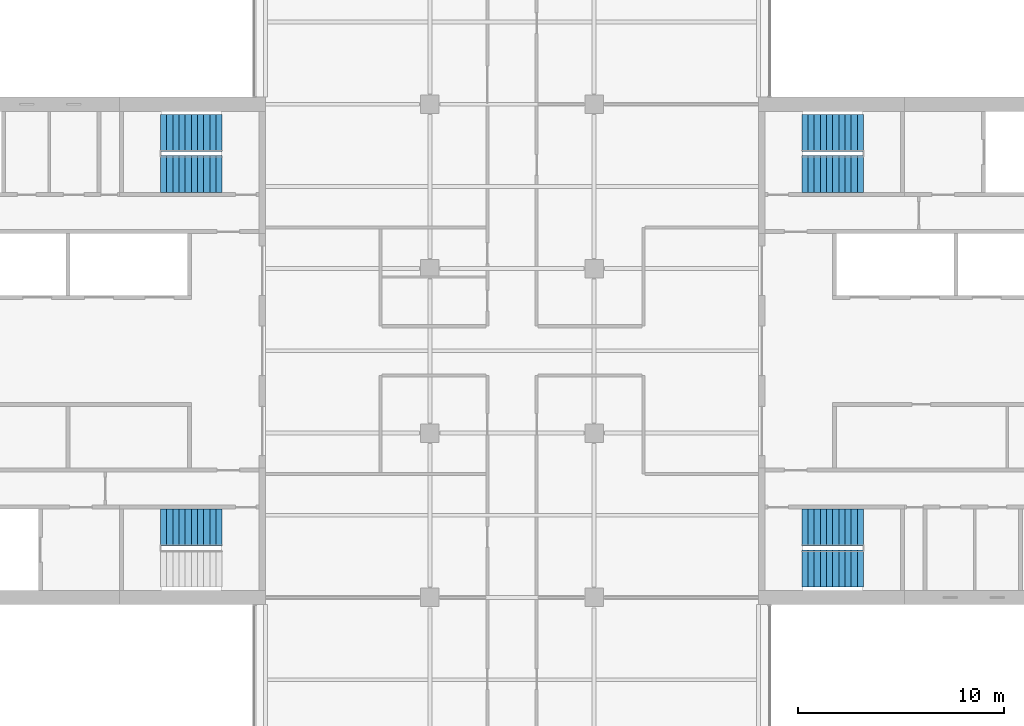
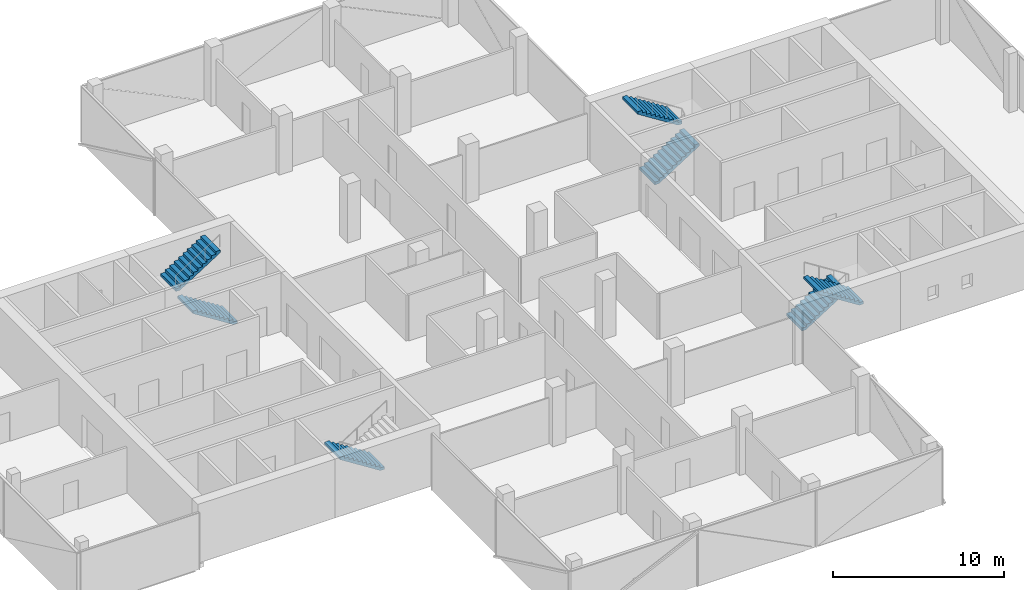
# One storey, part 17 of 22: 7 stair flights, 4 elements without a shape of their own.
"""IFC4 building model written with IfcOpenShell, lengths in metres."""

from ifc_helpers import new_model, si_unit, direction, frame, origin, place, context, subcontext, project, spatial, polyline, outline, extrude, material, type_object, element, aggregate, save


model = new_model("IFC4")

# Units and contexts
model_context = context("Model", 3, precision=1e-05, world=origin(), true_north=direction((0.0, 1.0)))
body_context = subcontext(model_context, "Body", "Model", "MODEL_VIEW")
ifc_project = project(units=[si_unit("LENGTHUNIT", "METRE"), si_unit("AREAUNIT", "SQUARE_METRE"), si_unit("VOLUMEUNIT", "CUBIC_METRE"), si_unit("PLANEANGLEUNIT", "RADIAN"), si_unit("MASSUNIT", "GRAM", prefix="KILO")], contexts=[model_context])

# Site, building, storey
site_placement = place(None, origin())
site = spatial("IfcSite", under=ifc_project, at=site_placement, CompositionType="ELEMENT")
building_placement = place(site_placement, origin())
building = spatial("IfcBuilding", under=site, at=building_placement, Name="Crosswind Convention Tower", CompositionType="ELEMENT")
storey_placement = place(building_placement, frame((0.0, 0.0, 167.300048828125)))
storey = spatial("IfcBuildingStorey", under=building, at=storey_placement, Name="L35", CompositionType="ELEMENT", Elevation=167.300048828125)

# Stair, stair flights
ifc_material = material(Name="Concrete C40/50", Category="concrete")
stair_type = type_object("IfcStairType", Name="Exit stair 1800 wide, 2 flights of 11 risers", PredefinedType="HALF_TURN_STAIR", material=ifc_material)
stair_1_placement = place(storey_placement, origin())
stair_1 = element("IfcStair", 1, at=stair_1_placement, inside=storey, type_object=stair_type, Name="Exit stair ST1 L35", ObjectType="ST5", PredefinedType="HALF_TURN_STAIR")
stair_flight_type = type_object("IfcStairFlightType", Name="Stair flight 1800 wide, 11 risers (SF4)", PredefinedType="STRAIGHT", material=ifc_material)
stair_flight_1_placement = place(storey_placement, frame((139.10009765625, 108.60009765625, 0.0), z_axis=(0.0, 0.0, 1.0), x_axis=(1.0, 0.0, 0.0)))
stair_flight_1 = element("IfcStairFlight", 2, at=stair_flight_1_placement, type_object=stair_flight_type, Name="ST1 flight 1", NumberOfRisers=11, NumberOfTreads=10, PredefinedType="STRAIGHT", RiserHeight=0.190909091, TreadLength=0.3, context=body_context, shape_type="SweptSolid", body=[
    extrude(outline(polyline([(0.0, 0.0), (0.0, 0.19091796875), (0.300048828125, 0.19091796875), (0.300048828125, 0.3818359375), (0.60009765625, 0.3818359375), (0.60009765625, 0.57275390625), (0.89990234375, 0.57275390625), (0.89990234375, 0.763671875), (1.199951171875, 0.763671875), (1.199951171875, 0.95458984375), (1.5, 0.95458984375), (1.5, 1.1455078125), (1.800048828125, 1.1455078125), (1.800048828125, 1.33642578125), (2.10009765625, 1.33642578125), (2.10009765625, 1.52734375), (2.39990234375, 1.52734375), (2.39990234375, 1.71826171875), (2.699951171875, 1.71826171875), (2.699951171875, 1.9091796875), (3.0, 1.9091796875), (3.0, 2.10009765625), (3.0, 1.7314453125), (0.279296875, 0.0), (0.0, 0.0)])), frame((0.0, 0.89990234375, 0.0), z_axis=(0.0, -1.0, 0.0), x_axis=(1.0, 0.0, 0.0)), (0.0, 0.0, 1.0), 1.800048828125),
])
stair_flight_2_placement = place(storey_placement, frame((142.10009765625, 110.60009765625, 2.099853515625), z_axis=(0.0, 0.0, 1.0), x_axis=(-1.0, 0.0, 0.0)))
stair_flight_2 = element("IfcStairFlight", 3, at=stair_flight_2_placement, type_object=stair_flight_type, Name="ST1 flight 2", NumberOfRisers=11, NumberOfTreads=10, PredefinedType="STRAIGHT", RiserHeight=0.190909091, TreadLength=0.3, context=body_context, shape_type="SweptSolid", body=[
    extrude(outline(polyline([(0.0, 0.0), (0.0, 0.19091796875), (0.300048828125, 0.19091796875), (0.300048828125, 0.3818359375), (0.60009765625, 0.3818359375), (0.60009765625, 0.57275390625), (0.89990234375, 0.57275390625), (0.89990234375, 0.763671875), (1.199951171875, 0.763671875), (1.199951171875, 0.95458984375), (1.5, 0.95458984375), (1.5, 1.1455078125), (1.800048828125, 1.1455078125), (1.800048828125, 1.33642578125), (2.10009765625, 1.33642578125), (2.10009765625, 1.52734375), (2.39990234375, 1.52734375), (2.39990234375, 1.71826171875), (2.699951171875, 1.71826171875), (2.699951171875, 1.9091796875), (3.0, 1.9091796875), (3.0, 2.10009765625), (3.0, 1.7314453125), (0.279296875, 0.0), (0.0, 0.0)])), frame((0.0, 0.89990234375, 0.0), z_axis=(0.0, -1.0, 0.0), x_axis=(1.0, 0.0, 0.0)), (0.0, 0.0, 1.0), 1.800048828125),
])
aggregate(stair_1, [stair_flight_1, stair_flight_2])

stair_2_placement = place(storey_placement, origin())
stair_2 = element("IfcStair", 4, at=stair_2_placement, inside=storey, type_object=stair_type, Name="Exit stair ST2 L35", ObjectType="ST5", PredefinedType="HALF_TURN_STAIR")
stair_flight_3_placement = place(storey_placement, frame((139.10009765625, 91.39990234375, 0.0), z_axis=(0.0, 0.0, 1.0), x_axis=(1.0, 0.0, 0.0)))
stair_flight_3 = element("IfcStairFlight", 5, at=stair_flight_3_placement, type_object=stair_flight_type, Name="ST2 flight 1", NumberOfRisers=11, NumberOfTreads=10, PredefinedType="STRAIGHT", RiserHeight=0.190909091, TreadLength=0.3, context=body_context, shape_type="SweptSolid", body=[
    extrude(outline(polyline([(0.0, 0.0), (0.0, 0.19091796875), (0.300048828125, 0.19091796875), (0.300048828125, 0.3818359375), (0.60009765625, 0.3818359375), (0.60009765625, 0.57275390625), (0.89990234375, 0.57275390625), (0.89990234375, 0.763671875), (1.199951171875, 0.763671875), (1.199951171875, 0.95458984375), (1.5, 0.95458984375), (1.5, 1.1455078125), (1.800048828125, 1.1455078125), (1.800048828125, 1.33642578125), (2.10009765625, 1.33642578125), (2.10009765625, 1.52734375), (2.39990234375, 1.52734375), (2.39990234375, 1.71826171875), (2.699951171875, 1.71826171875), (2.699951171875, 1.9091796875), (3.0, 1.9091796875), (3.0, 2.10009765625), (3.0, 1.7314453125), (0.279296875, 0.0), (0.0, 0.0)])), frame((0.0, 0.89990234375, 0.0), z_axis=(0.0, -1.0, 0.0), x_axis=(1.0, 0.0, 0.0)), (0.0, 0.0, 1.0), 1.800048828125),
])
stair_flight_4_placement = place(storey_placement, frame((142.10009765625, 89.39990234375, 2.099853515625), z_axis=(0.0, 0.0, 1.0), x_axis=(-1.0, 0.0, 0.0)))
stair_flight_4 = element("IfcStairFlight", 6, at=stair_flight_4_placement, type_object=stair_flight_type, Name="ST2 flight 2", NumberOfRisers=11, NumberOfTreads=10, PredefinedType="STRAIGHT", RiserHeight=0.190909091, TreadLength=0.3, context=body_context, shape_type="SweptSolid", body=[
    extrude(outline(polyline([(0.0, 0.0), (0.0, 0.19091796875), (0.300048828125, 0.19091796875), (0.300048828125, 0.3818359375), (0.60009765625, 0.3818359375), (0.60009765625, 0.57275390625), (0.89990234375, 0.57275390625), (0.89990234375, 0.763671875), (1.199951171875, 0.763671875), (1.199951171875, 0.95458984375), (1.5, 0.95458984375), (1.5, 1.1455078125), (1.800048828125, 1.1455078125), (1.800048828125, 1.33642578125), (2.10009765625, 1.33642578125), (2.10009765625, 1.52734375), (2.39990234375, 1.52734375), (2.39990234375, 1.71826171875), (2.699951171875, 1.71826171875), (2.699951171875, 1.9091796875), (3.0, 1.9091796875), (3.0, 2.10009765625), (3.0, 1.7314453125), (0.279296875, 0.0), (0.0, 0.0)])), frame((0.0, 0.89990234375, 0.0), z_axis=(0.0, -1.0, 0.0), x_axis=(1.0, 0.0, 0.0)), (0.0, 0.0, 1.0), 1.800048828125),
])
aggregate(stair_2, [stair_flight_3, stair_flight_4])

# Stair, stair flight
stair_3_placement = place(storey_placement, origin())
stair_3 = element("IfcStair", 7, at=stair_3_placement, inside=storey, type_object=stair_type, Name="Exit stair ST3 L35", ObjectType="ST5", PredefinedType="HALF_TURN_STAIR")
stair_flight_5_placement = place(storey_placement, frame((110.89990234375, 91.39990234375, 0.0), z_axis=(0.0, 0.0, 1.0), x_axis=(-1.0, 0.0, 0.0)))
stair_flight_5 = element("IfcStairFlight", 8, at=stair_flight_5_placement, type_object=stair_flight_type, Name="ST3 flight 1", NumberOfRisers=11, NumberOfTreads=10, PredefinedType="STRAIGHT", RiserHeight=0.190909091, TreadLength=0.3, context=body_context, shape_type="SweptSolid", body=[
    extrude(outline(polyline([(0.0, 0.0), (0.0, 0.19091796875), (0.300048828125, 0.19091796875), (0.300048828125, 0.3818359375), (0.60009765625, 0.3818359375), (0.60009765625, 0.57275390625), (0.89990234375, 0.57275390625), (0.89990234375, 0.763671875), (1.199951171875, 0.763671875), (1.199951171875, 0.95458984375), (1.5, 0.95458984375), (1.5, 1.1455078125), (1.800048828125, 1.1455078125), (1.800048828125, 1.33642578125), (2.10009765625, 1.33642578125), (2.10009765625, 1.52734375), (2.39990234375, 1.52734375), (2.39990234375, 1.71826171875), (2.699951171875, 1.71826171875), (2.699951171875, 1.9091796875), (3.0, 1.9091796875), (3.0, 2.10009765625), (3.0, 1.7314453125), (0.279296875, 0.0), (0.0, 0.0)])), frame((0.0, 0.89990234375, 0.0), z_axis=(0.0, -1.0, 0.0), x_axis=(1.0, 0.0, 0.0)), (0.0, 0.0, 1.0), 1.800048828125),
])
aggregate(stair_3, [stair_flight_5])

# Stair, stair flights
stair_4_placement = place(storey_placement, origin())
stair_4 = element("IfcStair", 9, at=stair_4_placement, inside=storey, type_object=stair_type, Name="Exit stair ST4 L35", ObjectType="ST5", PredefinedType="HALF_TURN_STAIR")
stair_flight_6_placement = place(storey_placement, frame((110.89990234375, 108.60009765625, 0.0), z_axis=(0.0, 0.0, 1.0), x_axis=(-1.0, 0.0, 0.0)))
stair_flight_6 = element("IfcStairFlight", 10, at=stair_flight_6_placement, type_object=stair_flight_type, Name="ST4 flight 1", NumberOfRisers=11, NumberOfTreads=10, PredefinedType="STRAIGHT", RiserHeight=0.190909091, TreadLength=0.3, context=body_context, shape_type="SweptSolid", body=[
    extrude(outline(polyline([(0.0, 0.0), (0.0, 0.19091796875), (0.300048828125, 0.19091796875), (0.300048828125, 0.3818359375), (0.60009765625, 0.3818359375), (0.60009765625, 0.57275390625), (0.89990234375, 0.57275390625), (0.89990234375, 0.763671875), (1.199951171875, 0.763671875), (1.199951171875, 0.95458984375), (1.5, 0.95458984375), (1.5, 1.1455078125), (1.800048828125, 1.1455078125), (1.800048828125, 1.33642578125), (2.10009765625, 1.33642578125), (2.10009765625, 1.52734375), (2.39990234375, 1.52734375), (2.39990234375, 1.71826171875), (2.699951171875, 1.71826171875), (2.699951171875, 1.9091796875), (3.0, 1.9091796875), (3.0, 2.10009765625), (3.0, 1.7314453125), (0.279296875, 0.0), (0.0, 0.0)])), frame((0.0, 0.89990234375, 0.0), z_axis=(0.0, -1.0, 0.0), x_axis=(1.0, 0.0, 0.0)), (0.0, 0.0, 1.0), 1.800048828125),
])
stair_flight_7_placement = place(storey_placement, frame((107.89990234375, 110.60009765625, 2.099853515625), z_axis=(0.0, 0.0, 1.0), x_axis=(1.0, 0.0, 0.0)))
stair_flight_7 = element("IfcStairFlight", 11, at=stair_flight_7_placement, type_object=stair_flight_type, Name="ST4 flight 2", NumberOfRisers=11, NumberOfTreads=10, PredefinedType="STRAIGHT", RiserHeight=0.190909091, TreadLength=0.3, context=body_context, shape_type="SweptSolid", body=[
    extrude(outline(polyline([(0.0, 0.0), (0.0, 0.19091796875), (0.300048828125, 0.19091796875), (0.300048828125, 0.3818359375), (0.60009765625, 0.3818359375), (0.60009765625, 0.57275390625), (0.89990234375, 0.57275390625), (0.89990234375, 0.763671875), (1.199951171875, 0.763671875), (1.199951171875, 0.95458984375), (1.5, 0.95458984375), (1.5, 1.1455078125), (1.800048828125, 1.1455078125), (1.800048828125, 1.33642578125), (2.10009765625, 1.33642578125), (2.10009765625, 1.52734375), (2.39990234375, 1.52734375), (2.39990234375, 1.71826171875), (2.699951171875, 1.71826171875), (2.699951171875, 1.9091796875), (3.0, 1.9091796875), (3.0, 2.10009765625), (3.0, 1.7314453125), (0.279296875, 0.0), (0.0, 0.0)])), frame((0.0, 0.89990234375, 0.0), z_axis=(0.0, -1.0, 0.0), x_axis=(1.0, 0.0, 0.0)), (0.0, 0.0, 1.0), 1.800048828125),
])
aggregate(stair_4, [stair_flight_6, stair_flight_7])

save(model, "model.ifc")
